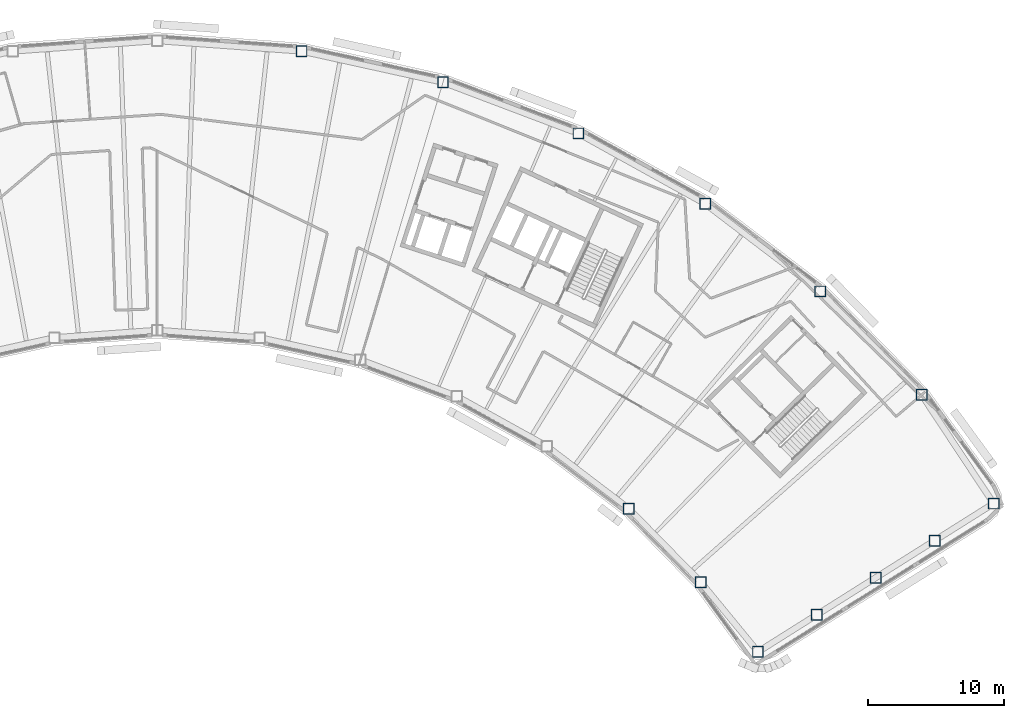
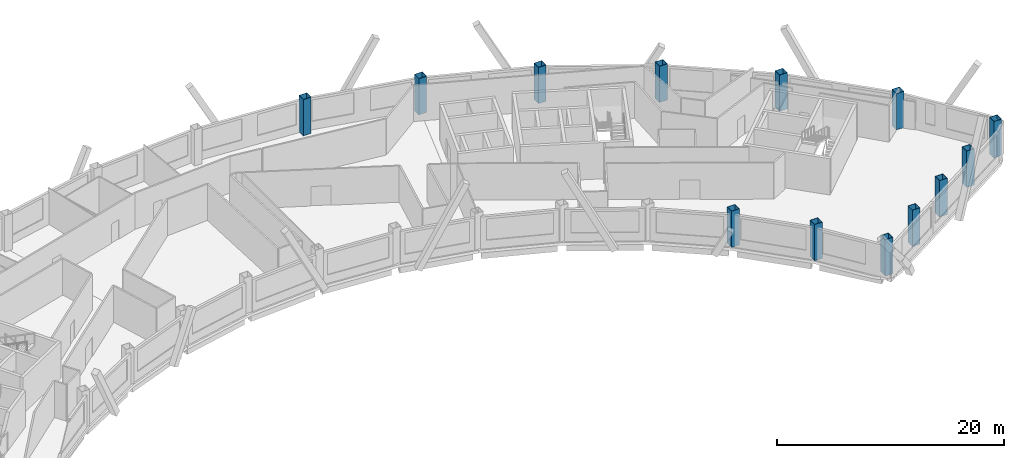
# One storey, part 2 of 12: 13 columns.
"""IFC4 building model written with IfcOpenShell, lengths in metres."""

from ifc_helpers import new_model, si_unit, direction, frame, origin, origin_2d, place, context, subcontext, project, spatial, hollow_rectangle, extrude, material, material_profile, profile_set, type_object, element, save


model = new_model("IFC4")

# Units and contexts
model_context = context("Model", 3, precision=1e-05, world=origin(), true_north=direction((0.0, 1.0)))
body_context = subcontext(model_context, "Body", "Model", "MODEL_VIEW")
ifc_project = project(units=[si_unit("LENGTHUNIT", "METRE"), si_unit("AREAUNIT", "SQUARE_METRE"), si_unit("VOLUMEUNIT", "CUBIC_METRE"), si_unit("PLANEANGLEUNIT", "RADIAN"), si_unit("MASSUNIT", "GRAM", prefix="KILO")], contexts=[model_context])

# Site, building, storey
site_placement = place(None, origin())
site = spatial("IfcSite", under=ifc_project, at=site_placement, CompositionType="ELEMENT")
building_placement = place(site_placement, origin())
building = spatial("IfcBuilding", under=site, at=building_placement, Name="Tuul Gate Civic Tower", CompositionType="ELEMENT")
storey_placement = place(building_placement, frame((0.0, 0.0, 336.5)))
storey = spatial("IfcBuildingStorey", under=building, at=storey_placement, Name="Level 76", CompositionType="ELEMENT", Elevation=336.5)

# Columns
ifc_material = material(Name="Steel S355", Category="steel")
ifc_material_profile = material_profile(ifc_material, hollow_rectangle(XDim=0.800048828125, YDim=0.800048828125, WallThickness=0.031982421875, at=origin_2d()), Name="BOX800x800x32")
ifc_profile_set = profile_set([ifc_material_profile], Name="Steel S355")
column_type = type_object("IfcColumnType", Name="STR-COLUMN-BOX800x800x32", PredefinedType="COLUMN", material=ifc_profile_set)
for number, where, z_axis, x_axis, name in (
    (1, (63.863037109375, -20.300048828125, 0.0), (0.0, 0.0, 1.0), (1.0, 0.0, 0.0), "Column"),
    (2, (58.56396484375, -12.2880859375, 0.0), (0.0, 0.0, 1.0), (1.0, 0.0, 0.0), "Column"),
    (3, (51.090087890625, -4.6630859375, 0.0), (0.0, 0.0, 1.0), (1.0, 0.0, 0.0), "Column"),
    (4, (42.593994140625, 1.804931640625, 0.0), (0.0, 0.0, 1.0), (1.0, 0.0, 0.0), "Column"),
    (5, (33.256103515625, 6.98193359375, 0.0), (0.0, 0.0, 1.0), (1.0, 0.0, 0.0), "Column"),
    (6, (23.26904296875, 10.758056640625, 0.0), (0.0, 0.0, 1.0), (1.0, 0.0, 0.0), "Column"),
    (7, (12.841064453125, 13.055908203125, 0.0), (0.0, 0.0, 1.0), (1.0, 0.0, 0.0), "Column"),
    (8, (36.958984375, -20.675048828125, 0.0), (0.0, 0.0, 1.0), (1.0, 0.0, 0.0), "Column"),
    (9, (42.27294921875, -26.096923828125, 0.0), (0.0, 0.0, 1.0), (1.0, 0.0, 0.0), "Column"),
    (10, (46.492919921875, -31.239013671875, 0.0), (0.0, 0.0, 1.0), (1.0, 0.0, 0.0), "Column"),
    (11, (50.8349609375, -28.50390625, 0.0), (0.0, 0.0, 1.0), (1.0, 0.0, 0.0), "Column"),
    (12, (55.177978515625, -25.77001953125, 0.0), (0.0, 0.0, 1.0), (1.0, 0.0, 0.0), "Column"),
    (13, (59.52001953125, -23.034912109375, 0.0), (0.0, 0.0, 1.0), (1.0, 0.0, 0.0), "Column"),
):
    element("IfcColumn", number, at=place(storey_placement, frame(where, z_axis=z_axis, x_axis=x_axis)), inside=storey, type_object=column_type, Name=name, PredefinedType="COLUMN", context=body_context, shape_type="SweptSolid", body=[
        extrude(hollow_rectangle(XDim=0.800048828125, YDim=0.800048828125, WallThickness=0.031982421875, at=origin_2d()), origin(), (0.0, 0.0, 1.0), 3.89990234375),
    ])

save(model, "model.ifc")
